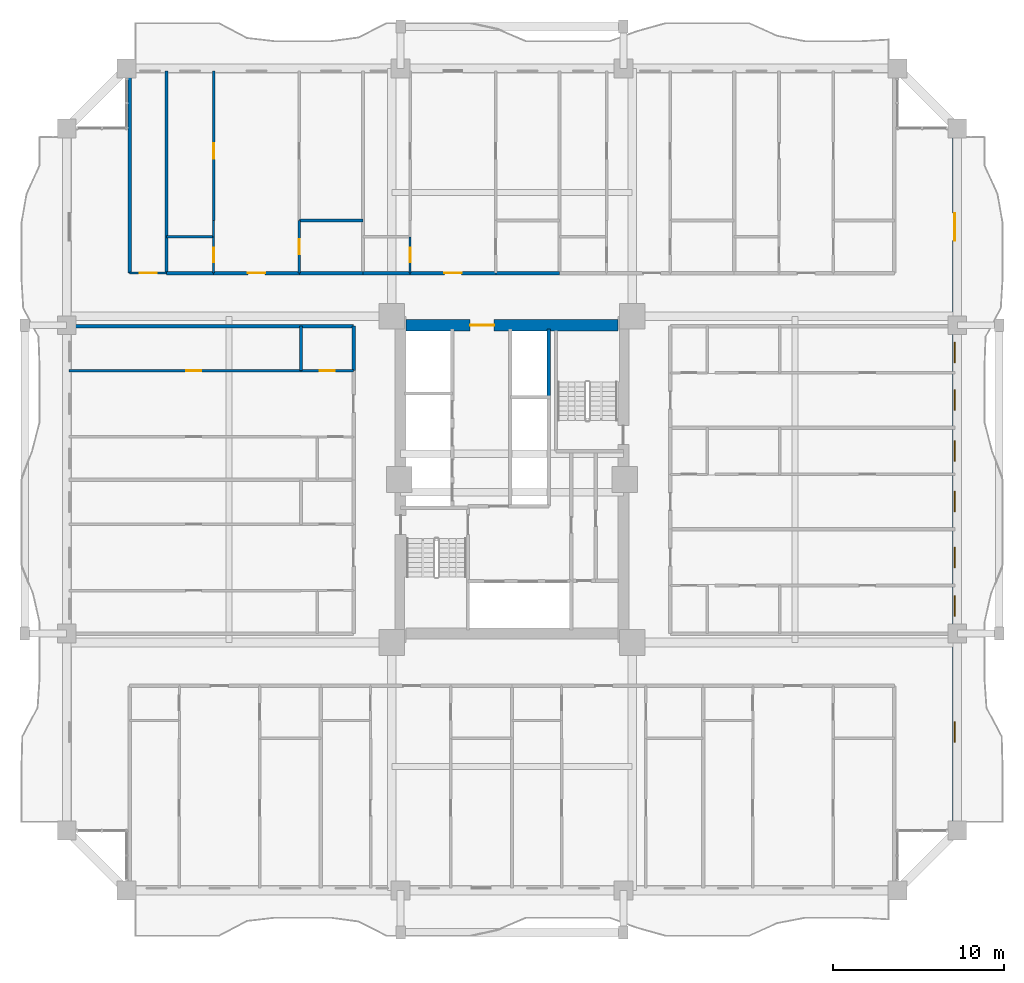
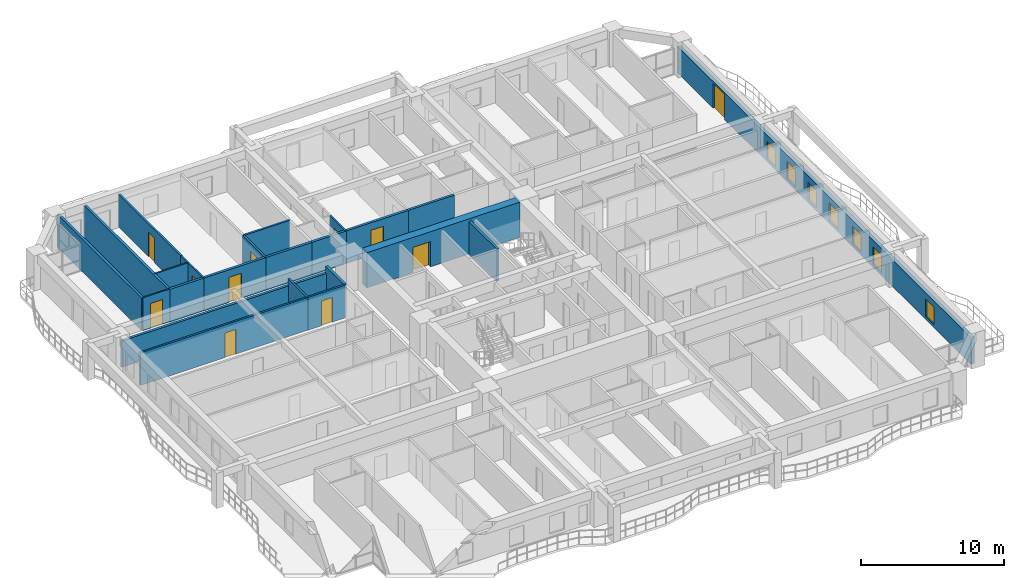
# One storey, part 18 of 27: 24 walls, 11 doors, 7 windows, 18 openings.
"""IFC4 building model written with IfcOpenShell, lengths in metres."""

from ifc_helpers import new_model, si_unit, direction, frame, frame_2d, origin, place, context, subcontext, project, spatial, rectangle, extrude, source, transform, mapped, material, layer, layer_set, type_object, element, fill, save


model = new_model("IFC4")

# Units and contexts
model_context = context("Model", 3, precision=1e-05, world=origin(), true_north=direction((0.0, 1.0)))
body_context = subcontext(model_context, "Body", "Model", "MODEL_VIEW")
ifc_project = project(units=[si_unit("LENGTHUNIT", "METRE"), si_unit("AREAUNIT", "SQUARE_METRE"), si_unit("VOLUMEUNIT", "CUBIC_METRE"), si_unit("PLANEANGLEUNIT", "RADIAN"), si_unit("MASSUNIT", "GRAM", prefix="KILO")], contexts=[model_context])

# Site, building, storey
site_placement = place(None, origin())
site = spatial("IfcSite", under=ifc_project, at=site_placement, CompositionType="ELEMENT")
building_placement = place(site_placement, origin())
building = spatial("IfcBuilding", under=site, at=building_placement, Name="Saelheon Loggia Tower", CompositionType="ELEMENT")
storey_placement = place(building_placement, frame((0.0, 0.0, 43.39990234375)))
storey = spatial("IfcBuildingStorey", under=building, at=storey_placement, Name="L13", CompositionType="ELEMENT", Elevation=43.39990234375)

# Wall, opening, door
ifc_material_1 = material(Name="Concrete C60/75", Category="concrete")
ifc_layer_1 = layer(ifc_material_1, 0.64990234375)
ifc_layer_set_1 = layer_set([ifc_layer_1], Name="Concrete C60/75")
wall_type_1 = type_object("IfcWallType", Name="Wall_CoreShear_650", PredefinedType="SHEAR", material=ifc_layer_set_1)
wall_1_placement = place(storey_placement, frame((31.824951171875, 36.0, 0.0), z_axis=(0.0, 0.0, 1.0), x_axis=(1.0, 0.0, 0.0)))
wall_1 = element("IfcWall", 1, at=wall_1_placement, inside=storey, type_object=wall_type_1, Name="L13 Core Shear Wall North", PredefinedType="SHEAR", context=body_context, shape_type="SweptSolid", body=[
    extrude(rectangle(XDim=12.35009765625, YDim=0.64990234375, at=frame_2d((6.175048828125, 0.0))), origin(), (0.0, 0.0, 1.0), 3.0),
])
opening_1_placement = place(wall_1_placement, frame((5.125, 0.0, 0.0), z_axis=(0.0, 0.0, 1.0), x_axis=(-1.0, 0.0, 0.0)))
opening_1 = element("IfcOpeningElement", 2, at=opening_1_placement, cuts=wall_1, Name="Opening D-FD2L", PredefinedType="OPENING", context=body_context, shape_type="SweptSolid", body=[
    extrude(rectangle(XDim=1.39990234375, YDim=2.14990234375, at=frame_2d((0.699951171875, 1.074951171875))), frame((0.0, 0.3369140625, 0.0), z_axis=(0.0, -1.0, 0.0), x_axis=(1.0, 0.0, 0.0)), (0.0, 0.0, 1.0), 0.673828125),
])
ifc_material_2 = material(Name="Galvanised Steel Glazed Lobby Fire Door", Category="steel")
door_type_1 = type_object("IfcDoorType", Name="Door_Fire_FD60_1400", OperationType="NOTDEFINED", PredefinedType="DOOR", material=ifc_material_2)
shared_shape_1 = source(origin(), body_context, "Body", "SweptSolid", [
    extrude(rectangle(XDim=1.39990234375, YDim=2.14990234375, at=frame_2d((0.699951171875, 1.074951171875))), frame((0.0, 0.02490234375, 0.0), z_axis=(0.0, -1.0, 0.0), x_axis=(1.0, 0.0, 0.0)), (0.0, 0.0, 1.0), 0.050048828125),
])
door_1_placement = place(opening_1_placement, origin())
door_1 = element("IfcDoor", 3, at=door_1_placement, inside=storey, type_object=door_type_1, Name="L13 Passenger Lift Lobby Main Door", OperationType="SINGLE_SWING_RIGHT", OverallHeight=2.14990234375, OverallWidth=1.39990234375, PredefinedType="DOOR", context=body_context, shape_type="MappedRepresentation", body=[
    mapped(shared_shape_1, transform((0.0, 0.0, 0.0), scale=1.0)),
])
fill(opening_1, door_1)

# Wall, openings, windows, door
ifc_material_3 = material(Name="Architectural Precast Concrete C40/50", Category="concrete")
ifc_layer_2 = layer(ifc_material_3, 0.280029296875)
ifc_layer_set_2 = layer_set([ifc_layer_2], Name="Architectural Precast Concrete C40/50")
wall_type_2 = type_object("IfcWallType", Name="Wall_Ext_Loggia_280", PredefinedType="SOLIDWALL", material=ifc_layer_set_2)
wall_2_placement = place(storey_placement, frame((63.860107421875, 6.5, 0.0), z_axis=(0.0, 0.0, 1.0), x_axis=(0.0, 1.0, 0.0)))
wall_2 = element("IfcWall", 4, at=wall_2_placement, inside=storey, type_object=wall_type_2, Name="L13 East Loggia Inner Wall", PredefinedType="SOLIDWALL", context=body_context, shape_type="SweptSolid", body=[
    extrude(rectangle(XDim=41.0, YDim=0.280029296875, at=frame_2d((20.5, 0.0))), origin(), (0.0, 0.0, 1.0), 2.280029296875),
])
opening_2_placement = place(wall_2_placement, frame((5.14990234375, 0.0, 0.25)))
opening_2 = element("IfcOpeningElement", 5, at=opening_2_placement, cuts=wall_2, Name="Opening WN-03", PredefinedType="OPENING", context=body_context, shape_type="SweptSolid", body=[
    extrude(rectangle(XDim=1.199951171875, YDim=1.5, at=frame_2d((0.60009765625, 0.75))), frame((0.0, 0.152099609375, 0.0), z_axis=(0.0, -1.0, 0.0), x_axis=(1.0, 0.0, 0.0)), (0.0, 0.0, 1.0), 0.303955078125),
])
opening_3_placement = place(wall_2_placement, frame((12.498779296875, 0.0, 0.25)))
opening_3 = element("IfcOpeningElement", 6, at=opening_3_placement, cuts=wall_2, Name="Opening WN-03", PredefinedType="OPENING", context=body_context, shape_type="SweptSolid", body=[
    extrude(rectangle(XDim=1.199951171875, YDim=1.5, at=frame_2d((0.60009765625, 0.75))), frame((0.0, 0.152099609375, 0.0), z_axis=(0.0, -1.0, 0.0), x_axis=(1.0, 0.0, 0.0)), (0.0, 0.0, 1.0), 0.303955078125),
])
opening_4_placement = place(wall_2_placement, frame((15.355224609375, 0.0, 0.25)))
opening_4 = element("IfcOpeningElement", 7, at=opening_4_placement, cuts=wall_2, Name="Opening WN-03", PredefinedType="OPENING", context=body_context, shape_type="SweptSolid", body=[
    extrude(rectangle(XDim=1.199951171875, YDim=1.5, at=frame_2d((0.60009765625, 0.75))), frame((0.0, 0.152099609375, 0.0), z_axis=(0.0, -1.0, 0.0), x_axis=(1.0, 0.0, 0.0)), (0.0, 0.0, 1.0), 0.303955078125),
])
opening_5_placement = place(wall_2_placement, frame((18.602294921875, 0.0, 0.25)))
opening_5 = element("IfcOpeningElement", 8, at=opening_5_placement, cuts=wall_2, Name="Opening WN-03", PredefinedType="OPENING", context=body_context, shape_type="SweptSolid", body=[
    extrude(rectangle(XDim=1.199951171875, YDim=1.5, at=frame_2d((0.60009765625, 0.75))), frame((0.0, 0.152099609375, 0.0), z_axis=(0.0, -1.0, 0.0), x_axis=(1.0, 0.0, 0.0)), (0.0, 0.0, 1.0), 0.303955078125),
])
opening_6_placement = place(wall_2_placement, frame((21.564208984375, 0.0, 0.25)))
opening_6 = element("IfcOpeningElement", 9, at=opening_6_placement, cuts=wall_2, Name="Opening WN-03", PredefinedType="OPENING", context=body_context, shape_type="SweptSolid", body=[
    extrude(rectangle(XDim=1.199951171875, YDim=1.5, at=frame_2d((0.60009765625, 0.75))), frame((0.0, 0.152099609375, 0.0), z_axis=(0.0, -1.0, 0.0), x_axis=(1.0, 0.0, 0.0)), (0.0, 0.0, 1.0), 0.303955078125),
])
opening_7_placement = place(wall_2_placement, frame((24.52587890625, 0.0, 0.25)))
opening_7 = element("IfcOpeningElement", 10, at=opening_7_placement, cuts=wall_2, Name="Opening WN-03", PredefinedType="OPENING", context=body_context, shape_type="SweptSolid", body=[
    extrude(rectangle(XDim=1.199951171875, YDim=1.5, at=frame_2d((0.60009765625, 0.75))), frame((0.0, 0.152099609375, 0.0), z_axis=(0.0, -1.0, 0.0), x_axis=(1.0, 0.0, 0.0)), (0.0, 0.0, 1.0), 0.303955078125),
])
opening_8_placement = place(wall_2_placement, frame((27.317626953125, 0.0, 0.25)))
opening_8 = element("IfcOpeningElement", 11, at=opening_8_placement, cuts=wall_2, Name="Opening WN-03", PredefinedType="OPENING", context=body_context, shape_type="SweptSolid", body=[
    extrude(rectangle(XDim=1.199951171875, YDim=1.5, at=frame_2d((0.60009765625, 0.75))), frame((0.0, 0.152099609375, 0.0), z_axis=(0.0, -1.0, 0.0), x_axis=(1.0, 0.0, 0.0)), (0.0, 0.0, 1.0), 0.303955078125),
])
opening_9_placement = place(wall_2_placement, frame((36.050048828125, 0.0, 0.0), z_axis=(0.0, 0.0, 1.0), x_axis=(-1.0, 0.0, 0.0)))
opening_9 = element("IfcOpeningElement", 12, at=opening_9_placement, cuts=wall_2, Name="Opening DLG-1", PredefinedType="OPENING", context=body_context, shape_type="SweptSolid", body=[
    extrude(rectangle(XDim=1.60009765625, YDim=2.14990234375, at=frame_2d((0.800048828125, 1.074951171875))), frame((0.0, 0.152099609375, 0.0), z_axis=(0.0, -1.0, 0.0), x_axis=(1.0, 0.0, 0.0)), (0.0, 0.0, 1.0), 0.303955078125),
])
ifc_material_4 = material(Name="Thermal-Break Aluminium and Triple Low-E Glass", Category="aluminium")
window_type = type_object("IfcWindowType", Name="Win_Bedroom_1200x1500", PartitioningType="SINGLE_PANEL", PredefinedType="WINDOW", material=ifc_material_4)
shared_shape_2 = source(origin(), body_context, "Body", "SweptSolid", [
    extrude(rectangle(XDim=1.199951171875, YDim=1.5, at=frame_2d((0.60009765625, 0.75))), frame((0.0, 0.030029296875, 0.0), z_axis=(0.0, -1.0, 0.0), x_axis=(1.0, 0.0, 0.0)), (0.0, 0.0, 1.0), 0.06005859375),
])
window_1_placement = place(opening_2_placement, origin())
window_1 = element("IfcWindow", 13, at=window_1_placement, inside=storey, type_object=window_type, Name="L13 E Dwelling Window 1", OverallHeight=1.5, OverallWidth=1.199951171875, PartitioningType="SINGLE_PANEL", PredefinedType="WINDOW", context=body_context, shape_type="MappedRepresentation", body=[
    mapped(shared_shape_2, transform((0.0, 0.0, 0.0), scale=1.0)),
])
fill(opening_2, window_1)
window_2_placement = place(opening_3_placement, origin())
window_2 = element("IfcWindow", 14, at=window_2_placement, inside=storey, type_object=window_type, Name="L13 E Dwelling Window 2", OverallHeight=1.5, OverallWidth=1.199951171875, PartitioningType="SINGLE_PANEL", PredefinedType="WINDOW", context=body_context, shape_type="MappedRepresentation", body=[
    mapped(shared_shape_2, transform((0.0, 0.0, 0.0), scale=1.0)),
])
fill(opening_3, window_2)
window_3_placement = place(opening_4_placement, origin())
window_3 = element("IfcWindow", 15, at=window_3_placement, inside=storey, type_object=window_type, Name="L13 E Dwelling Window 3", OverallHeight=1.5, OverallWidth=1.199951171875, PartitioningType="SINGLE_PANEL", PredefinedType="WINDOW", context=body_context, shape_type="MappedRepresentation", body=[
    mapped(shared_shape_2, transform((0.0, 0.0, 0.0), scale=1.0)),
])
fill(opening_4, window_3)
window_4_placement = place(opening_5_placement, origin())
window_4 = element("IfcWindow", 16, at=window_4_placement, inside=storey, type_object=window_type, Name="L13 E Dwelling Window 4", OverallHeight=1.5, OverallWidth=1.199951171875, PartitioningType="SINGLE_PANEL", PredefinedType="WINDOW", context=body_context, shape_type="MappedRepresentation", body=[
    mapped(shared_shape_2, transform((0.0, 0.0, 0.0), scale=1.0)),
])
fill(opening_5, window_4)
window_5_placement = place(opening_6_placement, origin())
window_5 = element("IfcWindow", 17, at=window_5_placement, inside=storey, type_object=window_type, Name="L13 E Dwelling Window 5", OverallHeight=1.5, OverallWidth=1.199951171875, PartitioningType="SINGLE_PANEL", PredefinedType="WINDOW", context=body_context, shape_type="MappedRepresentation", body=[
    mapped(shared_shape_2, transform((0.0, 0.0, 0.0), scale=1.0)),
])
fill(opening_6, window_5)
window_6_placement = place(opening_7_placement, origin())
window_6 = element("IfcWindow", 18, at=window_6_placement, inside=storey, type_object=window_type, Name="L13 E Dwelling Window 6", OverallHeight=1.5, OverallWidth=1.199951171875, PartitioningType="SINGLE_PANEL", PredefinedType="WINDOW", context=body_context, shape_type="MappedRepresentation", body=[
    mapped(shared_shape_2, transform((0.0, 0.0, 0.0), scale=1.0)),
])
fill(opening_7, window_6)
window_7_placement = place(opening_8_placement, origin())
window_7 = element("IfcWindow", 19, at=window_7_placement, inside=storey, type_object=window_type, Name="L13 E Dwelling Window 7", OverallHeight=1.5, OverallWidth=1.199951171875, PartitioningType="SINGLE_PANEL", PredefinedType="WINDOW", context=body_context, shape_type="MappedRepresentation", body=[
    mapped(shared_shape_2, transform((0.0, 0.0, 0.0), scale=1.0)),
])
fill(opening_8, window_7)
ifc_material_5 = material(Name="Thermal-Break Aluminium Sliding Glazed Door", Category="aluminium")
door_type_2 = type_object("IfcDoorType", Name="Door_LoggiaSlide_1600", OperationType="SLIDING_TO_LEFT", PredefinedType="DOOR", material=ifc_material_5)
shared_shape_3 = source(origin(), body_context, "Body", "SweptSolid", [
    extrude(rectangle(XDim=1.60009765625, YDim=2.14990234375, at=frame_2d((0.800048828125, 1.074951171875))), frame((0.0, 0.02490234375, 0.0), z_axis=(0.0, -1.0, 0.0), x_axis=(1.0, 0.0, 0.0)), (0.0, 0.0, 1.0), 0.050048828125),
])
door_2_placement = place(opening_9_placement, origin())
door_2 = element("IfcDoor", 20, at=door_2_placement, inside=storey, type_object=door_type_2, Name="L13 E Loggia Access Door", OperationType="SLIDING_TO_LEFT", OverallHeight=2.14990234375, OverallWidth=1.60009765625, PredefinedType="DOOR", context=body_context, shape_type="MappedRepresentation", body=[
    mapped(shared_shape_3, transform((0.0, 0.0, 0.0), scale=1.0)),
])
fill(opening_9, door_2)

# Wall
ifc_material_6 = material(Name="Lightweight Autoclaved Aerated Concrete Block and Acoustic Gypsum", Category="concrete")
ifc_layer_3 = layer(ifc_material_6, 0.14990234375)
ifc_layer_set_3 = layer_set([ifc_layer_3], Name="Lightweight Autoclaved Aerated Concrete Block and Acoustic Gypsum")
wall_type_3 = type_object("IfcWallType", Name="Wall_Part_150", PredefinedType="PARTITIONING", material=ifc_layer_set_3)
wall_3_placement = place(storey_placement, frame((25.57958984375, 42.1201171875, 0.0), z_axis=(0.0, 0.0, 1.0), x_axis=(1.0, 0.0, 0.0)))
element("IfcWall", 21, at=wall_3_placement, inside=storey, type_object=wall_type_3, Name="L13 N Partition V09", PredefinedType="PARTITIONING", context=body_context, shape_type="SweptSolid", body=[
    extrude(rectangle(XDim=3.72265625, YDim=0.14990234375, at=frame_2d((1.861328125, 0.0))), origin(), (0.0, 0.0, 1.0), 2.7900390625),
])

# Wall, opening, door
wall_4_placement = place(storey_placement, frame((20.580078125, 42.1201171875, 0.0), z_axis=(0.0, 0.0, 1.0), x_axis=(0.0, 1.0, 0.0)))
wall_4 = element("IfcWall", 22, at=wall_4_placement, inside=storey, type_object=wall_type_3, Name="L13 N Partition U12", PredefinedType="PARTITIONING", context=body_context, shape_type="SweptSolid", body=[
    extrude(rectangle(XDim=8.72998046875, YDim=0.14990234375, at=frame_2d((4.364990234375, 0.0))), origin(), (0.0, 0.0, 1.0), 2.7900390625),
])
opening_10_placement = place(wall_4_placement, frame((3.60888671875, 0.0, 0.0)))
opening_10 = element("IfcOpeningElement", 23, at=opening_10_placement, cuts=wall_4, Name="Opening D-IN2", PredefinedType="OPENING", context=body_context, shape_type="SweptSolid", body=[
    extrude(rectangle(XDim=0.89990234375, YDim=2.10009765625, at=frame_2d((0.449951171875, 1.050048828125))), frame((0.0, 0.0869140625, 0.0), z_axis=(0.0, -1.0, 0.0), x_axis=(1.0, 0.0, 0.0)), (0.0, 0.0, 1.0), 0.173828125),
])
ifc_material_7 = material(Name="Engineered Oak Flush Door", Category="timber")
door_type_3 = type_object("IfcDoorType", Name="Door_Int_900", OperationType="NOTDEFINED", PredefinedType="DOOR", material=ifc_material_7)
shared_shape_4 = source(origin(), body_context, "Body", "SweptSolid", [
    extrude(rectangle(XDim=0.89990234375, YDim=2.10009765625, at=frame_2d((0.449951171875, 1.050048828125))), frame((0.0, 0.02490234375, 0.0), z_axis=(0.0, -1.0, 0.0), x_axis=(1.0, 0.0, 0.0)), (0.0, 0.0, 1.0), 0.050048828125),
])
door_3_placement = place(opening_10_placement, origin())
door_3 = element("IfcDoor", 24, at=door_3_placement, inside=storey, type_object=door_type_3, Name="Unit U05 Kitchen Door", OperationType="SINGLE_SWING_RIGHT", OverallHeight=2.10009765625, OverallWidth=0.89990234375, PredefinedType="DOOR", context=body_context, shape_type="MappedRepresentation", body=[
    mapped(shared_shape_4, transform((0.0, 0.0, 0.0), scale=1.0)),
])
fill(opening_10, door_3)

wall_5_placement = place(storey_placement, frame((25.57958984375, 39.050048828125, 0.0), z_axis=(0.0, 0.0, 1.0), x_axis=(0.0, 1.0, 0.0)))
wall_5 = element("IfcWall", 25, at=wall_5_placement, inside=storey, type_object=wall_type_3, Name="L13 N Partition U13", PredefinedType="PARTITIONING", context=body_context, shape_type="SweptSolid", body=[
    extrude(rectangle(XDim=3.070068359375, YDim=0.14990234375, at=frame_2d((1.53515625, 0.0))), origin(), (0.0, 0.0, 1.0), 2.7900390625),
])
opening_11_placement = place(wall_5_placement, frame((1.0849609375, 0.0, 0.0)))
opening_11 = element("IfcOpeningElement", 26, at=opening_11_placement, cuts=wall_5, Name="Opening D-IN2", PredefinedType="OPENING", context=body_context, shape_type="SweptSolid", body=[
    extrude(rectangle(XDim=0.89990234375, YDim=2.10009765625, at=frame_2d((0.449951171875, 1.050048828125))), frame((0.0, 0.0869140625, 0.0), z_axis=(0.0, -1.0, 0.0), x_axis=(1.0, 0.0, 0.0)), (0.0, 0.0, 1.0), 0.173828125),
])
door_4_placement = place(opening_11_placement, origin())
door_4 = element("IfcDoor", 27, at=door_4_placement, inside=storey, type_object=door_type_3, Name="Unit U05 Dressing Closet Door", OperationType="SINGLE_SWING_LEFT", OverallHeight=2.10009765625, OverallWidth=0.89990234375, PredefinedType="DOOR", context=body_context, shape_type="MappedRepresentation", body=[
    mapped(shared_shape_4, transform((0.0, 0.0, 0.0), scale=1.0)),
])
fill(opening_11, door_4)

# Wall
wall_6_placement = place(storey_placement, frame((25.679931640625, 33.35009765625, 0.0), z_axis=(0.0, 0.0, 1.0), x_axis=(0.0, 1.0, 0.0)))
element("IfcWall", 28, at=wall_6_placement, inside=storey, type_object=wall_type_3, Name="L13 W Partition V18", PredefinedType="PARTITIONING", context=body_context, shape_type="SweptSolid", body=[
    extrude(rectangle(XDim=2.599853515625, YDim=0.14990234375, at=frame_2d((1.2998046875, 0.0))), origin(), (0.0, 0.0, 1.0), 2.7900390625),
])

# Wall, opening, door
wall_7_placement = place(storey_placement, frame((28.75, 33.35009765625, 0.0), z_axis=(0.0, 0.0, 1.0), x_axis=(-1.0, 0.0, 0.0)))
wall_7 = element("IfcWall", 29, at=wall_7_placement, inside=storey, type_object=wall_type_3, Name="L13 W Partition U22", PredefinedType="PARTITIONING", context=body_context, shape_type="SweptSolid", body=[
    extrude(rectangle(XDim=3.070068359375, YDim=0.14990234375, at=frame_2d((1.53515625, 0.0))), origin(), (0.0, 0.0, 1.0), 2.7900390625),
])
opening_12_placement = place(wall_7_placement, frame((1.0849609375, 0.0, 0.0)))
opening_12 = element("IfcOpeningElement", 30, at=opening_12_placement, cuts=wall_7, Name="Opening D-IN2", PredefinedType="OPENING", context=body_context, shape_type="SweptSolid", body=[
    extrude(rectangle(XDim=0.89990234375, YDim=2.10009765625, at=frame_2d((0.449951171875, 1.050048828125))), frame((0.0, 0.0869140625, 0.0), z_axis=(0.0, -1.0, 0.0), x_axis=(1.0, 0.0, 0.0)), (0.0, 0.0, 1.0), 0.173828125),
])
door_5_placement = place(opening_12_placement, origin())
door_5 = element("IfcDoor", 31, at=door_5_placement, inside=storey, type_object=door_type_3, Name="Unit U10 Dressing Closet Door", OperationType="SINGLE_SWING_RIGHT", OverallHeight=2.10009765625, OverallWidth=0.89990234375, PredefinedType="DOOR", context=body_context, shape_type="MappedRepresentation", body=[
    mapped(shared_shape_4, transform((0.0, 0.0, 0.0), scale=1.0)),
])
fill(opening_12, door_5)

wall_8_placement = place(storey_placement, frame((25.679931640625, 33.35009765625, 0.0), z_axis=(0.0, 0.0, 1.0), x_axis=(-1.0, 0.0, 0.0)))
wall_8 = element("IfcWall", 32, at=wall_8_placement, inside=storey, type_object=wall_type_3, Name="L13 W Partition U23", PredefinedType="PARTITIONING", context=body_context, shape_type="SweptSolid", body=[
    extrude(rectangle(XDim=13.530029296875, YDim=0.14990234375, at=frame_2d((6.76513671875, 0.0))), origin(), (0.0, 0.0, 1.0), 2.7900390625),
])
opening_13_placement = place(wall_8_placement, frame((5.80859375, 0.0, 0.0)))
opening_13 = element("IfcOpeningElement", 33, at=opening_13_placement, cuts=wall_8, Name="Opening D-IN2", PredefinedType="OPENING", context=body_context, shape_type="SweptSolid", body=[
    extrude(rectangle(XDim=0.89990234375, YDim=2.10009765625, at=frame_2d((0.449951171875, 1.050048828125))), frame((0.0, 0.0869140625, 0.0), z_axis=(0.0, -1.0, 0.0), x_axis=(1.0, 0.0, 0.0)), (0.0, 0.0, 1.0), 0.173828125),
])
door_6_placement = place(opening_13_placement, origin())
door_6 = element("IfcDoor", 34, at=door_6_placement, inside=storey, type_object=door_type_3, Name="Unit U10 Bedroom 1 Door", OperationType="SINGLE_SWING_LEFT", OverallHeight=2.10009765625, OverallWidth=0.89990234375, PredefinedType="DOOR", context=body_context, shape_type="MappedRepresentation", body=[
    mapped(shared_shape_4, transform((0.0, 0.0, 0.0), scale=1.0)),
])
fill(opening_13, door_6)

# Walls
ifc_material_8 = material(Name="Double Acoustic Stud and Fireboard Partition", Category="gypsum")
ifc_layer_4 = layer(ifc_material_8, 0.199951171875)
ifc_layer_set_4 = layer_set([ifc_layer_4], Name="Double Acoustic Stud and Fireboard Partition")
wall_type_4 = type_object("IfcWallType", Name="Wall_Party_200", PredefinedType="PARTITIONING", material=ifc_layer_set_4)
for number, where, z_axis, x_axis, name in (
    (35, (15.679931640625, 39.050048828125, 0.0), (0.0, 0.0, 1.0), (0.0, 1.0, 0.0), "L13 N Partition U01"),
    (36, (17.830078125, 39.050048828125, 0.0), (0.0, 0.0, 1.0), (0.0, 1.0, 0.0), "L13 N Partition U03"),
):
    element("IfcWall", number, at=place(storey_placement, frame(where, z_axis=z_axis, x_axis=x_axis)), inside=storey, type_object=wall_type_4, Name=name, PredefinedType="PARTITIONING", context=body_context, shape_type="SweptSolid", body=[
        extrude(rectangle(XDim=11.800048828125, YDim=0.199951171875, at=frame_2d((5.89990234375, 0.0))), origin(), (0.0, 0.0, 1.0), 2.7900390625),
    ])
wall_9_placement = place(storey_placement, frame((17.830078125, 39.050048828125, 0.0), z_axis=(0.0, 0.0, 1.0), x_axis=(1.0, 0.0, 0.0)))
element("IfcWall", 37, at=wall_9_placement, inside=storey, type_object=wall_type_4, Name="L13 N Partition V05", PredefinedType="PARTITIONING", context=body_context, shape_type="SweptSolid", body=[
    extrude(rectangle(XDim=2.75, YDim=0.199951171875, at=frame_2d((1.375, 0.0))), origin(), (0.0, 0.0, 1.0), 2.7900390625),
])

# Wall, opening, door
wall_10_placement = place(storey_placement, frame((20.580078125, 39.050048828125, 0.0), z_axis=(0.0, 0.0, 1.0), x_axis=(1.0, 0.0, 0.0)))
wall_10 = element("IfcWall", 38, at=wall_10_placement, inside=storey, type_object=wall_type_4, Name="L13 N Partition V06", PredefinedType="PARTITIONING", context=body_context, shape_type="SweptSolid", body=[
    extrude(rectangle(XDim=4.99951171875, YDim=0.199951171875, at=frame_2d((2.499755859375, 0.0))), origin(), (0.0, 0.0, 1.0), 2.7900390625),
])
opening_14_placement = place(wall_10_placement, frame((1.999755859375, 0.0, 0.0)))
opening_14 = element("IfcOpeningElement", 39, at=opening_14_placement, cuts=wall_10, Name="Opening D-FD1", PredefinedType="OPENING", context=body_context, shape_type="SweptSolid", body=[
    extrude(rectangle(XDim=1.0, YDim=2.14990234375, at=frame_2d((0.5, 1.074951171875))), frame((0.0, 0.112060546875, 0.0), z_axis=(0.0, -1.0, 0.0), x_axis=(1.0, 0.0, 0.0)), (0.0, 0.0, 1.0), 0.223876953125),
])
ifc_material_9 = material(Name="Fire-Rated Engineered Timber Entrance Door", Category="wood")
door_type_4 = type_object("IfcDoorType", Name="Door_Flat_FD30S", OperationType="NOTDEFINED", PredefinedType="DOOR", material=ifc_material_9)
shared_shape_5 = source(origin(), body_context, "Body", "SweptSolid", [
    extrude(rectangle(XDim=1.0, YDim=2.14990234375, at=frame_2d((0.5, 1.074951171875))), frame((0.0, 0.02490234375, 0.0), z_axis=(0.0, -1.0, 0.0), x_axis=(1.0, 0.0, 0.0)), (0.0, 0.0, 1.0), 0.050048828125),
])
door_7_placement = place(opening_14_placement, origin())
door_7 = element("IfcDoor", 40, at=door_7_placement, inside=storey, type_object=door_type_4, Name="Unit U05 Entrance Door", OperationType="SINGLE_SWING_RIGHT", OverallHeight=2.14990234375, OverallWidth=1.0, PredefinedType="DOOR", context=body_context, shape_type="MappedRepresentation", body=[
    mapped(shared_shape_5, transform((0.0, 0.0, 0.0), scale=1.0)),
])
fill(opening_14, door_7)

# Walls
wall_11_placement = place(storey_placement, frame((25.57958984375, 39.050048828125, 0.0), z_axis=(0.0, 0.0, 1.0), x_axis=(1.0, 0.0, 0.0)))
element("IfcWall", 41, at=wall_11_placement, inside=storey, type_object=wall_type_4, Name="L13 N Partition V07", PredefinedType="PARTITIONING", context=body_context, shape_type="SweptSolid", body=[
    extrude(rectangle(XDim=3.72265625, YDim=0.199951171875, at=frame_2d((1.861328125, 0.0))), origin(), (0.0, 0.0, 1.0), 2.7900390625),
])
wall_12_placement = place(storey_placement, frame((29.30224609375, 39.050048828125, 0.0), z_axis=(0.0, 0.0, 1.0), x_axis=(1.0, 0.0, 0.0)))
element("IfcWall", 42, at=wall_12_placement, inside=storey, type_object=wall_type_4, Name="L13 N Partition V16", PredefinedType="PARTITIONING", context=body_context, shape_type="SweptSolid", body=[
    extrude(rectangle(XDim=2.75, YDim=0.199951171875, at=frame_2d((1.375, 0.0))), origin(), (0.0, 0.0, 1.0), 2.7900390625),
])

# Wall, opening, door
wall_13_placement = place(storey_placement, frame((32.05224609375, 39.050048828125, 0.0), z_axis=(0.0, 0.0, 1.0), x_axis=(1.0, 0.0, 0.0)))
wall_13 = element("IfcWall", 43, at=wall_13_placement, inside=storey, type_object=wall_type_4, Name="L13 N Partition V17", PredefinedType="PARTITIONING", context=body_context, shape_type="SweptSolid", body=[
    extrude(rectangle(XDim=4.99951171875, YDim=0.199951171875, at=frame_2d((2.499755859375, 0.0))), origin(), (0.0, 0.0, 1.0), 2.7900390625),
])
opening_15_placement = place(wall_13_placement, frame((1.999755859375, 0.0, 0.0)))
opening_15 = element("IfcOpeningElement", 44, at=opening_15_placement, cuts=wall_13, Name="Opening D-FD1", PredefinedType="OPENING", context=body_context, shape_type="SweptSolid", body=[
    extrude(rectangle(XDim=1.0, YDim=2.14990234375, at=frame_2d((0.5, 1.074951171875))), frame((0.0, 0.112060546875, 0.0), z_axis=(0.0, -1.0, 0.0), x_axis=(1.0, 0.0, 0.0)), (0.0, 0.0, 1.0), 0.223876953125),
])
door_8_placement = place(opening_15_placement, origin())
door_8 = element("IfcDoor", 45, at=door_8_placement, inside=storey, type_object=door_type_4, Name="Unit U06 Entrance Door", OperationType="SINGLE_SWING_LEFT", OverallHeight=2.14990234375, OverallWidth=1.0, PredefinedType="DOOR", context=body_context, shape_type="MappedRepresentation", body=[
    mapped(shared_shape_5, transform((0.0, 0.0, 0.0), scale=1.0)),
])
fill(opening_15, door_8)

# Walls
wall_14_placement = place(storey_placement, frame((37.0517578125, 39.050048828125, 0.0), z_axis=(0.0, 0.0, 1.0), x_axis=(1.0, 0.0, 0.0)))
element("IfcWall", 46, at=wall_14_placement, inside=storey, type_object=wall_type_4, Name="L13 N Partition V18", PredefinedType="PARTITIONING", context=body_context, shape_type="SweptSolid", body=[
    extrude(rectangle(XDim=3.722900390625, YDim=0.199951171875, at=frame_2d((1.861328125, 0.0))), origin(), (0.0, 0.0, 1.0), 2.7900390625),
])
wall_15_placement = place(storey_placement, frame((28.75, 35.949951171875, 0.0), z_axis=(0.0, 0.0, 1.0), x_axis=(-1.0, 0.0, 0.0)))
element("IfcWall", 47, at=wall_15_placement, inside=storey, type_object=wall_type_4, Name="L13 W Partition U02", PredefinedType="PARTITIONING", context=body_context, shape_type="SweptSolid", body=[
    extrude(rectangle(XDim=16.60009765625, YDim=0.199951171875, at=frame_2d((8.300048828125, 0.0))), origin(), (0.0, 0.0, 1.0), 2.239990234375),
])
wall_16_placement = place(storey_placement, frame((28.75, 33.35009765625, 0.0), z_axis=(0.0, 0.0, 1.0), x_axis=(0.0, 1.0, 0.0)))
element("IfcWall", 48, at=wall_16_placement, inside=storey, type_object=wall_type_4, Name="L13 W Partition V16", PredefinedType="PARTITIONING", context=body_context, shape_type="SweptSolid", body=[
    extrude(rectangle(XDim=2.599853515625, YDim=0.199951171875, at=frame_2d((1.2998046875, 0.0))), origin(), (0.0, 0.0, 1.0), 2.7900390625),
])
ifc_material_10 = material(Name="Concrete C40/50", Category="concrete")
ifc_layer_5 = layer(ifc_material_10, 0.199951171875)
ifc_layer_set_5 = layer_set([ifc_layer_5], Name="Concrete C40/50")
wall_type_5 = type_object("IfcWallType", Name="Wall_Shaft_200", PredefinedType="PARTITIONING", material=ifc_layer_set_5)
wall_17_placement = place(storey_placement, frame((40.14990234375, 31.800048828125, 0.0), z_axis=(0.0, 0.0, 1.0), x_axis=(0.0, 1.0, 0.0)))
element("IfcWall", 49, at=wall_17_placement, inside=storey, type_object=wall_type_5, Name="L13 East High-Rise Hoistway East Wall", PredefinedType="PARTITIONING", context=body_context, shape_type="SweptSolid", body=[
    extrude(rectangle(XDim=3.97998046875, YDim=0.199951171875, at=frame_2d((1.989990234375, 0.0))), origin(), (0.0, 0.0, 1.0), 2.7900390625),
])

# Wall, opening, door
ifc_material_11 = material(Name="Moisture-Resistant Cement Board Partition", Category="gypsum")
ifc_layer_6 = layer(ifc_material_11, 0.1201171875)
ifc_layer_set_6 = layer_set([ifc_layer_6], Name="Moisture-Resistant Cement Board Partition")
wall_type_6 = type_object("IfcWallType", Name="Wall_WetPart_120", PredefinedType="PARTITIONING", material=ifc_layer_set_6)
wall_18_placement = place(storey_placement, frame((15.679931640625, 39.050048828125, 0.0), z_axis=(0.0, 0.0, 1.0), x_axis=(1.0, 0.0, 0.0)))
wall_18 = element("IfcWall", 50, at=wall_18_placement, inside=storey, type_object=wall_type_6, Name="L13 N Partition V04", PredefinedType="PARTITIONING", context=body_context, shape_type="SweptSolid", body=[
    extrude(rectangle(XDim=2.150146484375, YDim=0.1201171875, at=frame_2d((1.0751953125, 0.0))), origin(), (0.0, 0.0, 1.0), 2.7900390625),
])
opening_16_placement = place(wall_18_placement, frame((0.574951171875, 0.0, 0.0)))
opening_16 = element("IfcOpeningElement", 51, at=opening_16_placement, cuts=wall_18, Name="Opening D-AC1", PredefinedType="OPENING", context=body_context, shape_type="SweptSolid", body=[
    extrude(rectangle(XDim=1.0, YDim=2.10009765625, at=frame_2d((0.5, 1.050048828125))), frame((0.0, 0.072021484375, 0.0), z_axis=(0.0, -1.0, 0.0), x_axis=(1.0, 0.0, 0.0)), (0.0, 0.0, 1.0), 0.14404296875),
])
ifc_material_12 = material(Name="Accessible Laminate Flush Door", Category="timber")
door_type_5 = type_object("IfcDoorType", Name="Door_Acc_1000", OperationType="NOTDEFINED", PredefinedType="DOOR", material=ifc_material_12)
shared_shape_6 = source(origin(), body_context, "Body", "SweptSolid", [
    extrude(rectangle(XDim=1.0, YDim=2.10009765625, at=frame_2d((0.5, 1.050048828125))), frame((0.0, 0.02490234375, 0.0), z_axis=(0.0, -1.0, 0.0), x_axis=(1.0, 0.0, 0.0)), (0.0, 0.0, 1.0), 0.050048828125),
])
door_9_placement = place(opening_16_placement, origin())
door_9 = element("IfcDoor", 52, at=door_9_placement, inside=storey, type_object=door_type_5, Name="L13 Floor Accessible WC Door", OperationType="SINGLE_SWING_LEFT", OverallHeight=2.10009765625, OverallWidth=1.0, PredefinedType="DOOR", context=body_context, shape_type="MappedRepresentation", body=[
    mapped(shared_shape_6, transform((0.0, 0.0, 0.0), scale=1.0)),
])
fill(opening_16, door_9)

# Wall
wall_19_placement = place(storey_placement, frame((17.830078125, 41.169921875, 0.0), z_axis=(0.0, 0.0, 1.0), x_axis=(1.0, 0.0, 0.0)))
element("IfcWall", 53, at=wall_19_placement, inside=storey, type_object=wall_type_6, Name="L13 N Partition V08", PredefinedType="PARTITIONING", context=body_context, shape_type="SweptSolid", body=[
    extrude(rectangle(XDim=2.75, YDim=0.1201171875, at=frame_2d((1.375, 0.0))), origin(), (0.0, 0.0, 1.0), 2.7900390625),
])

# Wall, opening, door
wall_20_placement = place(storey_placement, frame((20.580078125, 39.050048828125, 0.0), z_axis=(0.0, 0.0, 1.0), x_axis=(0.0, 1.0, 0.0)))
wall_20 = element("IfcWall", 54, at=wall_20_placement, inside=storey, type_object=wall_type_6, Name="L13 N Partition U10", PredefinedType="PARTITIONING", context=body_context, shape_type="SweptSolid", body=[
    extrude(rectangle(XDim=2.119873046875, YDim=0.1201171875, at=frame_2d((1.06005859375, 0.0))), origin(), (0.0, 0.0, 1.0), 2.7900390625),
])
opening_17_placement = place(wall_20_placement, frame((0.635009765625, 0.0, 0.0)))
opening_17 = element("IfcOpeningElement", 55, at=opening_17_placement, cuts=wall_20, Name="Opening D-BT1", PredefinedType="OPENING", context=body_context, shape_type="SweptSolid", body=[
    extrude(rectangle(XDim=0.85009765625, YDim=2.050048828125, at=frame_2d((0.425048828125, 1.02490234375))), frame((0.0, 0.072021484375, 0.0), z_axis=(0.0, -1.0, 0.0), x_axis=(1.0, 0.0, 0.0)), (0.0, 0.0, 1.0), 0.14404296875),
])
ifc_material_13 = material(Name="Moisture-Resistant Laminate Timber Door", Category="wood")
door_type_6 = type_object("IfcDoorType", Name="Door_Bath_850", OperationType="NOTDEFINED", PredefinedType="DOOR", material=ifc_material_13)
shared_shape_7 = source(origin(), body_context, "Body", "SweptSolid", [
    extrude(rectangle(XDim=0.85009765625, YDim=2.050048828125, at=frame_2d((0.425048828125, 1.02490234375))), frame((0.0, 0.02490234375, 0.0), z_axis=(0.0, -1.0, 0.0), x_axis=(1.0, 0.0, 0.0)), (0.0, 0.0, 1.0), 0.050048828125),
])
door_10_placement = place(opening_17_placement, origin())
door_10 = element("IfcDoor", 56, at=door_10_placement, inside=storey, type_object=door_type_6, Name="Unit U05 Bathroom Door", OperationType="SINGLE_SWING_LEFT", OverallHeight=2.050048828125, OverallWidth=0.85009765625, PredefinedType="DOOR", context=body_context, shape_type="MappedRepresentation", body=[
    mapped(shared_shape_7, transform((0.0, 0.0, 0.0), scale=1.0)),
])
fill(opening_17, door_10)

# Wall
wall_21_placement = place(storey_placement, frame((20.580078125, 41.169921875, 0.0), z_axis=(0.0, 0.0, 1.0), x_axis=(0.0, 1.0, 0.0)))
element("IfcWall", 57, at=wall_21_placement, inside=storey, type_object=wall_type_6, Name="L13 N Partition U11", PredefinedType="PARTITIONING", context=body_context, shape_type="SweptSolid", body=[
    extrude(rectangle(XDim=0.9501953125, YDim=0.1201171875, at=frame_2d((0.47509765625, 0.0))), origin(), (0.0, 0.0, 1.0), 2.7900390625),
])

# Wall, opening, door
wall_22_placement = place(storey_placement, frame((32.05224609375, 39.050048828125, 0.0), z_axis=(0.0, 0.0, 1.0), x_axis=(0.0, 1.0, 0.0)))
wall_22 = element("IfcWall", 58, at=wall_22_placement, inside=storey, type_object=wall_type_6, Name="L13 N Partition U21", PredefinedType="PARTITIONING", context=body_context, shape_type="SweptSolid", body=[
    extrude(rectangle(XDim=2.119873046875, YDim=0.1201171875, at=frame_2d((1.06005859375, 0.0))), origin(), (0.0, 0.0, 1.0), 2.7900390625),
])
opening_18_placement = place(wall_22_placement, frame((0.635009765625, 0.0, 0.0)))
opening_18 = element("IfcOpeningElement", 59, at=opening_18_placement, cuts=wall_22, Name="Opening D-BT1", PredefinedType="OPENING", context=body_context, shape_type="SweptSolid", body=[
    extrude(rectangle(XDim=0.85009765625, YDim=2.050048828125, at=frame_2d((0.425048828125, 1.02490234375))), frame((0.0, 0.072021484375, 0.0), z_axis=(0.0, -1.0, 0.0), x_axis=(1.0, 0.0, 0.0)), (0.0, 0.0, 1.0), 0.14404296875),
])
door_11_placement = place(opening_18_placement, origin())
door_11 = element("IfcDoor", 60, at=door_11_placement, inside=storey, type_object=door_type_6, Name="Unit U06 Bathroom Door", OperationType="SINGLE_SWING_RIGHT", OverallHeight=2.050048828125, OverallWidth=0.85009765625, PredefinedType="DOOR", context=body_context, shape_type="MappedRepresentation", body=[
    mapped(shared_shape_7, transform((0.0, 0.0, 0.0), scale=1.0)),
])
fill(opening_18, door_11)

save(model, "model.ifc")
